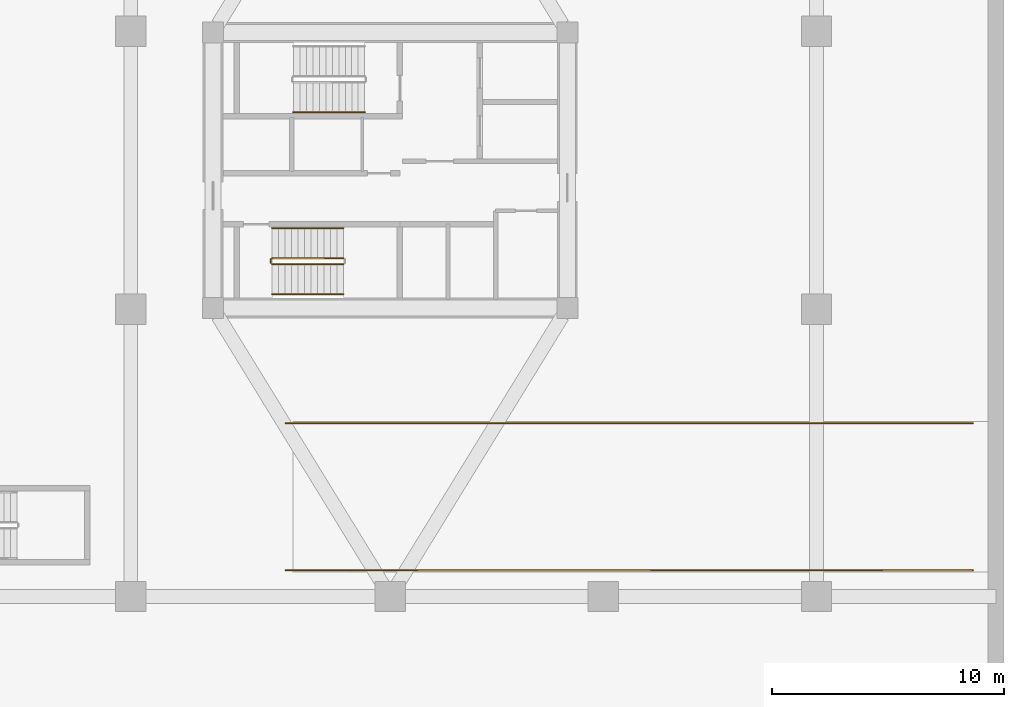
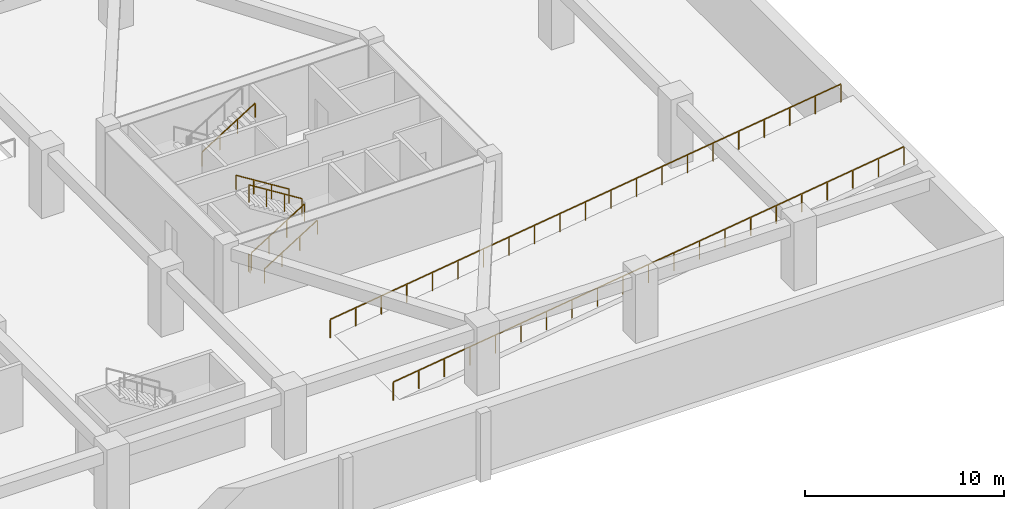
# One storey, part 13 of 14: 8 railings.
"""IFC4 building model written with IfcOpenShell, lengths in metres."""

from ifc_helpers import new_model, si_unit, direction, frame, origin, origin_2d, place, context, subcontext, project, spatial, rectangle, extrude, material, type_object, element, save


model = new_model("IFC4")

# Units and contexts
model_context = context("Model", 3, precision=1e-05, world=origin(), true_north=direction((0.0, 1.0)))
body_context = subcontext(model_context, "Body", "Model", "MODEL_VIEW")
ifc_project = project(units=[si_unit("LENGTHUNIT", "METRE"), si_unit("AREAUNIT", "SQUARE_METRE"), si_unit("VOLUMEUNIT", "CUBIC_METRE"), si_unit("PLANEANGLEUNIT", "RADIAN"), si_unit("MASSUNIT", "GRAM", prefix="KILO")], contexts=[model_context])

# Site, building, storey
site_placement = place(None, origin())
site = spatial("IfcSite", under=ifc_project, at=site_placement, CompositionType="ELEMENT")
building_placement = place(site_placement, origin())
building = spatial("IfcBuilding", under=site, at=building_placement, Name="Norrkilde Senior Care Towers", CompositionType="ELEMENT")
storey_placement = place(building_placement, frame((0.0, 0.0, -4.199951171875)))
storey = spatial("IfcBuildingStorey", under=building, at=storey_placement, Name="B1", CompositionType="ELEMENT", Elevation=-4.199951171875)

# Railings
ifc_material_1 = material(Name="Stainless Steel", Category="steel")
railing_type_1 = type_object("IfcRailingType", Name="Stair and Terrace Guardrail 1100", PredefinedType="GUARDRAIL", material=ifc_material_1)
railing_1_placement = place(storey_placement, frame((23.5, -17.27001953125, 0.0)))
element("IfcRailing", 1, at=railing_1_placement, inside=storey, type_object=railing_type_1, Name="B1 Vehicle Ramp Side Safety Guard B1-S", PredefinedType="GUARDRAIL", context=body_context, shape_type="SweptSolid", body=[
    extrude(rectangle(XDim=0.048095703125, YDim=0.048095703125, at=origin_2d()), frame((0.0, 0.0, 1.1259765625), z_axis=(0.99070944619, 0.0, 0.135995563274), x_axis=(0.0, 1.0, 0.0)), (0.0, 0.0, 1.0), 29.927978515625),
    extrude(rectangle(XDim=0.0419921875, YDim=0.0419921875, at=origin_2d()), origin(), (0.0, 0.0, 1.0), 1.099853515625),
    extrude(rectangle(XDim=0.0419921875, YDim=0.0419921875, at=origin_2d()), frame((1.482421875, 0.0, 0.20361328125)), (0.0, 0.0, 1.0), 1.099853515625),
    extrude(rectangle(XDim=0.0419921875, YDim=0.0419921875, at=origin_2d()), frame((2.965087890625, 0.0, 0.406982421875)), (0.0, 0.0, 1.0), 1.099853515625),
    extrude(rectangle(XDim=0.0419921875, YDim=0.0419921875, at=origin_2d()), frame((4.447509765625, 0.0, 0.610595703125)), (0.0, 0.0, 1.0), 1.099853515625),
    extrude(rectangle(XDim=0.0419921875, YDim=0.0419921875, at=origin_2d()), frame((5.929931640625, 0.0, 0.81396484375)), (0.0, 0.0, 1.0), 1.099853515625),
    extrude(rectangle(XDim=0.0419921875, YDim=0.0419921875, at=origin_2d()), frame((7.41259765625, 0.0, 1.017578125)), (0.0, 0.0, 1.0), 1.099853515625),
    extrude(rectangle(XDim=0.0419921875, YDim=0.0419921875, at=origin_2d()), frame((8.89501953125, 0.0, 1.220947265625)), (0.0, 0.0, 1.0), 1.099853515625),
    extrude(rectangle(XDim=0.0419921875, YDim=0.0419921875, at=origin_2d()), frame((10.37744140625, 0.0, 1.424560546875)), (0.0, 0.0, 1.0), 1.099853515625),
    extrude(rectangle(XDim=0.0419921875, YDim=0.0419921875, at=origin_2d()), frame((11.85986328125, 0.0, 1.6279296875)), (0.0, 0.0, 1.0), 1.099853515625),
    extrude(rectangle(XDim=0.0419921875, YDim=0.0419921875, at=origin_2d()), frame((13.342529296875, 0.0, 1.83154296875)), (0.0, 0.0, 1.0), 1.099853515625),
    extrude(rectangle(XDim=0.0419921875, YDim=0.0419921875, at=origin_2d()), frame((14.824951171875, 0.0, 2.03515625)), (0.0, 0.0, 1.0), 1.099853515625),
    extrude(rectangle(XDim=0.0419921875, YDim=0.0419921875, at=origin_2d()), frame((16.307373046875, 0.0, 2.238525390625)), (0.0, 0.0, 1.0), 1.099853515625),
    extrude(rectangle(XDim=0.0419921875, YDim=0.0419921875, at=origin_2d()), frame((17.7900390625, 0.0, 2.442138671875)), (0.0, 0.0, 1.0), 1.099853515625),
    extrude(rectangle(XDim=0.0419921875, YDim=0.0419921875, at=origin_2d()), frame((19.2724609375, 0.0, 2.6455078125)), (0.0, 0.0, 1.0), 1.099853515625),
    extrude(rectangle(XDim=0.0419921875, YDim=0.0419921875, at=origin_2d()), frame((20.7548828125, 0.0, 2.84912109375)), (0.0, 0.0, 1.0), 1.099853515625),
    extrude(rectangle(XDim=0.0419921875, YDim=0.0419921875, at=origin_2d()), frame((22.2373046875, 0.0, 3.052490234375)), (0.0, 0.0, 1.0), 1.099853515625),
    extrude(rectangle(XDim=0.0419921875, YDim=0.0419921875, at=origin_2d()), frame((23.719970703125, 0.0, 3.256103515625)), (0.0, 0.0, 1.0), 1.099853515625),
    extrude(rectangle(XDim=0.0419921875, YDim=0.0419921875, at=origin_2d()), frame((25.202392578125, 0.0, 3.45947265625)), (0.0, 0.0, 1.0), 1.099853515625),
    extrude(rectangle(XDim=0.0419921875, YDim=0.0419921875, at=origin_2d()), frame((26.684814453125, 0.0, 3.6630859375)), (0.0, 0.0, 1.0), 1.099853515625),
    extrude(rectangle(XDim=0.0419921875, YDim=0.0419921875, at=origin_2d()), frame((28.16748046875, 0.0, 3.866455078125)), (0.0, 0.0, 1.0), 1.099853515625),
    extrude(rectangle(XDim=0.0419921875, YDim=0.0419921875, at=origin_2d()), frame((29.64990234375, 0.0, 4.070068359375)), (0.0, 0.0, 1.0), 1.099853515625),
])
railing_2_placement = place(storey_placement, frame((23.5, -10.929931640625, 0.0)))
element("IfcRailing", 2, at=railing_2_placement, inside=storey, type_object=railing_type_1, Name="B1 Vehicle Ramp Side Safety Guard B1-N", PredefinedType="GUARDRAIL", context=body_context, shape_type="SweptSolid", body=[
    extrude(rectangle(XDim=0.048095703125, YDim=0.048095703125, at=origin_2d()), frame((0.0, 0.0, 1.1259765625), z_axis=(0.99070944619, 0.0, 0.135995563274), x_axis=(0.0, 1.0, 0.0)), (0.0, 0.0, 1.0), 29.927978515625),
    extrude(rectangle(XDim=0.0419921875, YDim=0.0419921875, at=origin_2d()), origin(), (0.0, 0.0, 1.0), 1.099853515625),
    extrude(rectangle(XDim=0.0419921875, YDim=0.0419921875, at=origin_2d()), frame((1.482421875, 0.0, 0.20361328125)), (0.0, 0.0, 1.0), 1.099853515625),
    extrude(rectangle(XDim=0.0419921875, YDim=0.0419921875, at=origin_2d()), frame((2.965087890625, 0.0, 0.406982421875)), (0.0, 0.0, 1.0), 1.099853515625),
    extrude(rectangle(XDim=0.0419921875, YDim=0.0419921875, at=origin_2d()), frame((4.447509765625, 0.0, 0.610595703125)), (0.0, 0.0, 1.0), 1.099853515625),
    extrude(rectangle(XDim=0.0419921875, YDim=0.0419921875, at=origin_2d()), frame((5.929931640625, 0.0, 0.81396484375)), (0.0, 0.0, 1.0), 1.099853515625),
    extrude(rectangle(XDim=0.0419921875, YDim=0.0419921875, at=origin_2d()), frame((7.41259765625, 0.0, 1.017578125)), (0.0, 0.0, 1.0), 1.099853515625),
    extrude(rectangle(XDim=0.0419921875, YDim=0.0419921875, at=origin_2d()), frame((8.89501953125, 0.0, 1.220947265625)), (0.0, 0.0, 1.0), 1.099853515625),
    extrude(rectangle(XDim=0.0419921875, YDim=0.0419921875, at=origin_2d()), frame((10.37744140625, 0.0, 1.424560546875)), (0.0, 0.0, 1.0), 1.099853515625),
    extrude(rectangle(XDim=0.0419921875, YDim=0.0419921875, at=origin_2d()), frame((11.85986328125, 0.0, 1.6279296875)), (0.0, 0.0, 1.0), 1.099853515625),
    extrude(rectangle(XDim=0.0419921875, YDim=0.0419921875, at=origin_2d()), frame((13.342529296875, 0.0, 1.83154296875)), (0.0, 0.0, 1.0), 1.099853515625),
    extrude(rectangle(XDim=0.0419921875, YDim=0.0419921875, at=origin_2d()), frame((14.824951171875, 0.0, 2.03515625)), (0.0, 0.0, 1.0), 1.099853515625),
    extrude(rectangle(XDim=0.0419921875, YDim=0.0419921875, at=origin_2d()), frame((16.307373046875, 0.0, 2.238525390625)), (0.0, 0.0, 1.0), 1.099853515625),
    extrude(rectangle(XDim=0.0419921875, YDim=0.0419921875, at=origin_2d()), frame((17.7900390625, 0.0, 2.442138671875)), (0.0, 0.0, 1.0), 1.099853515625),
    extrude(rectangle(XDim=0.0419921875, YDim=0.0419921875, at=origin_2d()), frame((19.2724609375, 0.0, 2.6455078125)), (0.0, 0.0, 1.0), 1.099853515625),
    extrude(rectangle(XDim=0.0419921875, YDim=0.0419921875, at=origin_2d()), frame((20.7548828125, 0.0, 2.84912109375)), (0.0, 0.0, 1.0), 1.099853515625),
    extrude(rectangle(XDim=0.0419921875, YDim=0.0419921875, at=origin_2d()), frame((22.2373046875, 0.0, 3.052490234375)), (0.0, 0.0, 1.0), 1.099853515625),
    extrude(rectangle(XDim=0.0419921875, YDim=0.0419921875, at=origin_2d()), frame((23.719970703125, 0.0, 3.256103515625)), (0.0, 0.0, 1.0), 1.099853515625),
    extrude(rectangle(XDim=0.0419921875, YDim=0.0419921875, at=origin_2d()), frame((25.202392578125, 0.0, 3.45947265625)), (0.0, 0.0, 1.0), 1.099853515625),
    extrude(rectangle(XDim=0.0419921875, YDim=0.0419921875, at=origin_2d()), frame((26.684814453125, 0.0, 3.6630859375)), (0.0, 0.0, 1.0), 1.099853515625),
    extrude(rectangle(XDim=0.0419921875, YDim=0.0419921875, at=origin_2d()), frame((28.16748046875, 0.0, 3.866455078125)), (0.0, 0.0, 1.0), 1.099853515625),
    extrude(rectangle(XDim=0.0419921875, YDim=0.0419921875, at=origin_2d()), frame((29.64990234375, 0.0, 4.070068359375)), (0.0, 0.0, 1.0), 1.099853515625),
])
railing_3_placement = place(storey_placement, frame((22.89990234375, -4.050048828125, 0.175048828125)))
element("IfcRailing", 3, at=railing_3_placement, inside=storey, type_object=railing_type_1, Name="B1 ST-E2 stair guard 1", PredefinedType="GUARDRAIL", context=body_context, shape_type="SweptSolid", body=[
    extrude(rectangle(XDim=0.048095703125, YDim=0.048095703125, at=origin_2d()), frame((0.0, 0.0, 1.076171875), z_axis=(0.848028513186, 0.0, 0.529950602248), x_axis=(0.0, 1.0, 0.0)), (0.0, 0.0, 1.0), 3.632080078125),
    extrude(rectangle(XDim=0.0419921875, YDim=0.0419921875, at=origin_2d()), origin(), (0.0, 0.0, 1.0), 1.050048828125),
    extrude(rectangle(XDim=0.0419921875, YDim=0.0419921875, at=origin_2d()), frame((1.026611328125, 0.0, 0.6416015625)), (0.0, 0.0, 1.0), 1.050048828125),
    extrude(rectangle(XDim=0.0419921875, YDim=0.0419921875, at=origin_2d()), frame((2.053466796875, 0.0, 1.283203125)), (0.0, 0.0, 1.0), 1.050048828125),
    extrude(rectangle(XDim=0.0419921875, YDim=0.0419921875, at=origin_2d()), frame((3.080078125, 0.0, 1.9248046875)), (0.0, 0.0, 1.0), 1.050048828125),
])
railing_4_placement = place(storey_placement, frame((25.97998046875, -3.800048828125, 2.27490234375)))
element("IfcRailing", 4, at=railing_4_placement, inside=storey, type_object=railing_type_1, Name="B1 ST-E2 stair guard 3", PredefinedType="GUARDRAIL", context=body_context, shape_type="SweptSolid", body=[
    extrude(rectangle(XDim=0.048095703125, YDim=0.048095703125, at=origin_2d()), frame((0.0, 0.0, 1.076171875), z_axis=(-0.847998304005, 0.0, 0.529998940003), x_axis=(0.0, -1.0, 0.0)), (0.0, 0.0, 1.0), 3.632080078125),
    extrude(rectangle(XDim=0.0419921875, YDim=0.0419921875, at=origin_2d()), origin(), (0.0, 0.0, 1.0), 1.050048828125),
    extrude(rectangle(XDim=0.0419921875, YDim=0.0419921875, at=origin_2d()), frame((-1.026611328125, 0.0, 0.6416015625)), (0.0, 0.0, 1.0), 1.050048828125),
    extrude(rectangle(XDim=0.0419921875, YDim=0.0419921875, at=origin_2d()), frame((-2.053466796875, 0.0, 1.283447265625)), (0.0, 0.0, 1.0), 1.050048828125),
    extrude(rectangle(XDim=0.0419921875, YDim=0.0419921875, at=origin_2d()), frame((-3.080078125, 0.0, 1.925048828125)), (0.0, 0.0, 1.0), 1.050048828125),
])
railing_5_placement = place(storey_placement, frame((22.85009765625, -4.0, 0.0)))
element("IfcRailing", 5, at=railing_5_placement, inside=storey, type_object=railing_type_1, Name="B1 ST-E2 stair guard 4", PredefinedType="GUARDRAIL", context=body_context, shape_type="SweptSolid", body=[
    extrude(rectangle(XDim=0.048095703125, YDim=0.048095703125, at=origin_2d()), frame((0.0, 0.0, 1.076171875), z_axis=(0.0, 1.0, 0.0), x_axis=(-1.0, 0.0, 0.0)), (0.0, 0.0, 1.0), 0.14990234375),
    extrude(rectangle(XDim=0.0419921875, YDim=0.0419921875, at=origin_2d()), origin(), (0.0, 0.0, 1.0), 1.050048828125),
    extrude(rectangle(XDim=0.0419921875, YDim=0.0419921875, at=origin_2d()), frame((0.0, 0.14990234375, 0.0)), (0.0, 0.0, 1.0), 1.050048828125),
])
ifc_material_2 = material(Name="Nordic Ash Timber", Category="wood")
railing_type_2 = type_object("IfcRailingType", Name="Wall and Stair Handrail 900", PredefinedType="HANDRAIL", material=ifc_material_2)
railing_6_placement = place(storey_placement, frame((23.820068359375, 2.5, 2.27490234375)))
element("IfcRailing", 6, at=railing_6_placement, inside=storey, type_object=railing_type_2, Name="B1 ST-E1 stair handrail 2", PredefinedType="HANDRAIL", context=body_context, shape_type="SweptSolid", body=[
    extrude(rectangle(XDim=0.048095703125, YDim=0.048095703125, at=origin_2d()), frame((0.0, 0.0, 0.8759765625), z_axis=(0.847979421464, 0.0, 0.530029150871), x_axis=(0.0, 1.0, 0.0)), (0.0, 0.0, 1.0), 3.632080078125),
    extrude(rectangle(XDim=0.0419921875, YDim=0.0419921875, at=origin_2d()), origin(), (0.0, 0.0, 1.0), 0.849853515625),
    extrude(rectangle(XDim=0.0419921875, YDim=0.0419921875, at=origin_2d()), frame((1.026611328125, 0.0, 0.6416015625)), (0.0, 0.0, 1.0), 0.849853515625),
    extrude(rectangle(XDim=0.0419921875, YDim=0.0419921875, at=origin_2d()), frame((2.05322265625, 0.0, 1.283447265625)), (0.0, 0.0, 1.0), 0.849853515625),
    extrude(rectangle(XDim=0.0419921875, YDim=0.0419921875, at=origin_2d()), frame((3.079833984375, 0.0, 1.925048828125)), (0.0, 0.0, 1.0), 0.849853515625),
])
railing_7_placement = place(storey_placement, frame((22.89990234375, -5.35009765625, 0.175048828125)))
element("IfcRailing", 7, at=railing_7_placement, inside=storey, type_object=railing_type_2, Name="B1 ST-E2 stair handrail 1", PredefinedType="HANDRAIL", context=body_context, shape_type="SweptSolid", body=[
    extrude(rectangle(XDim=0.048095703125, YDim=0.048095703125, at=origin_2d()), frame((0.0, 0.0, 0.8759765625), z_axis=(0.848028513186, 0.0, 0.529950602248), x_axis=(0.0, 1.0, 0.0)), (0.0, 0.0, 1.0), 3.632080078125),
    extrude(rectangle(XDim=0.0419921875, YDim=0.0419921875, at=origin_2d()), origin(), (0.0, 0.0, 1.0), 0.849853515625),
    extrude(rectangle(XDim=0.0419921875, YDim=0.0419921875, at=origin_2d()), frame((1.026611328125, 0.0, 0.6416015625)), (0.0, 0.0, 1.0), 0.849853515625),
    extrude(rectangle(XDim=0.0419921875, YDim=0.0419921875, at=origin_2d()), frame((2.053466796875, 0.0, 1.283203125)), (0.0, 0.0, 1.0), 0.849853515625),
    extrude(rectangle(XDim=0.0419921875, YDim=0.0419921875, at=origin_2d()), frame((3.080078125, 0.0, 1.9248046875)), (0.0, 0.0, 1.0), 0.849853515625),
])
railing_8_placement = place(storey_placement, frame((25.97998046875, -2.5, 2.27490234375)))
element("IfcRailing", 8, at=railing_8_placement, inside=storey, type_object=railing_type_2, Name="B1 ST-E2 stair handrail 2", PredefinedType="HANDRAIL", context=body_context, shape_type="SweptSolid", body=[
    extrude(rectangle(XDim=0.048095703125, YDim=0.048095703125, at=origin_2d()), frame((0.0, 0.0, 0.8759765625), z_axis=(-0.847998304005, 0.0, 0.529998940003), x_axis=(0.0, -1.0, 0.0)), (0.0, 0.0, 1.0), 3.632080078125),
    extrude(rectangle(XDim=0.0419921875, YDim=0.0419921875, at=origin_2d()), origin(), (0.0, 0.0, 1.0), 0.849853515625),
    extrude(rectangle(XDim=0.0419921875, YDim=0.0419921875, at=origin_2d()), frame((-1.026611328125, 0.0, 0.6416015625)), (0.0, 0.0, 1.0), 0.849853515625),
    extrude(rectangle(XDim=0.0419921875, YDim=0.0419921875, at=origin_2d()), frame((-2.053466796875, 0.0, 1.283447265625)), (0.0, 0.0, 1.0), 0.849853515625),
    extrude(rectangle(XDim=0.0419921875, YDim=0.0419921875, at=origin_2d()), frame((-3.080078125, 0.0, 1.925048828125)), (0.0, 0.0, 1.0), 0.849853515625),
])

save(model, "model.ifc")
